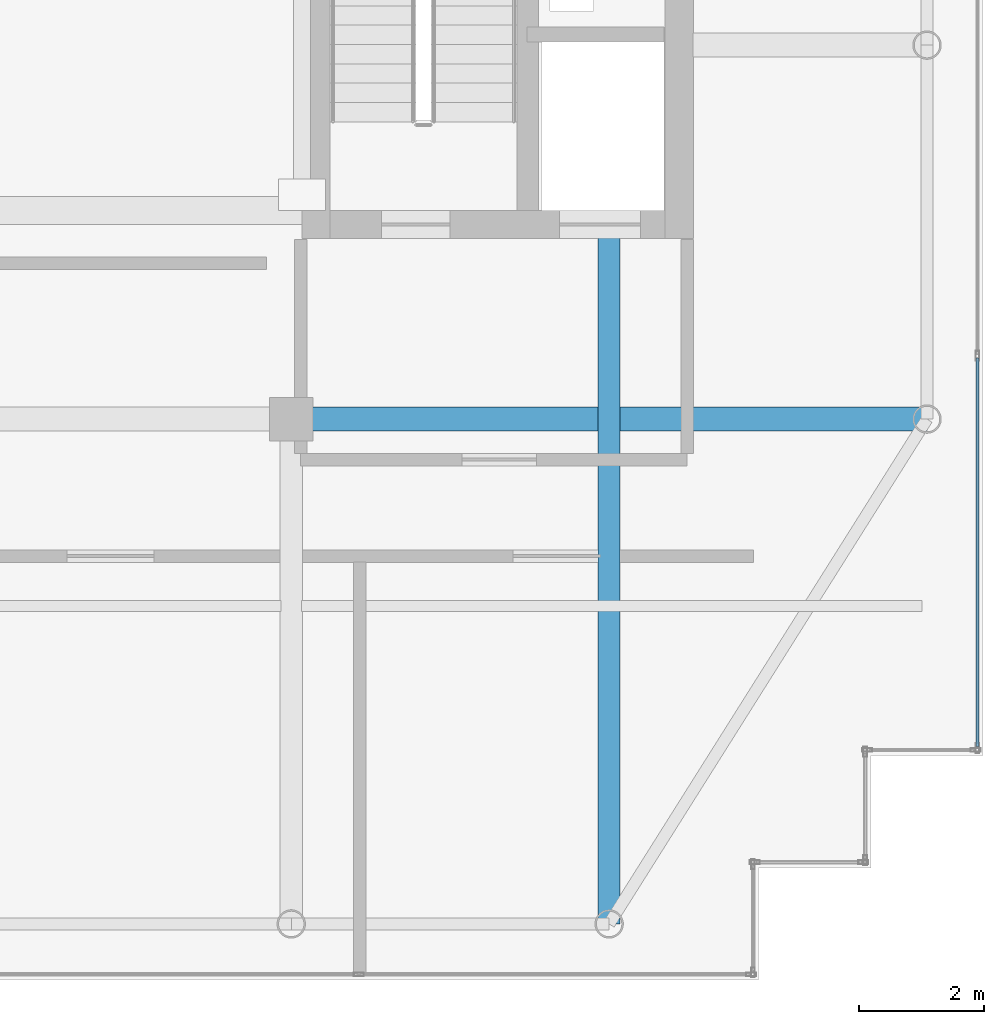
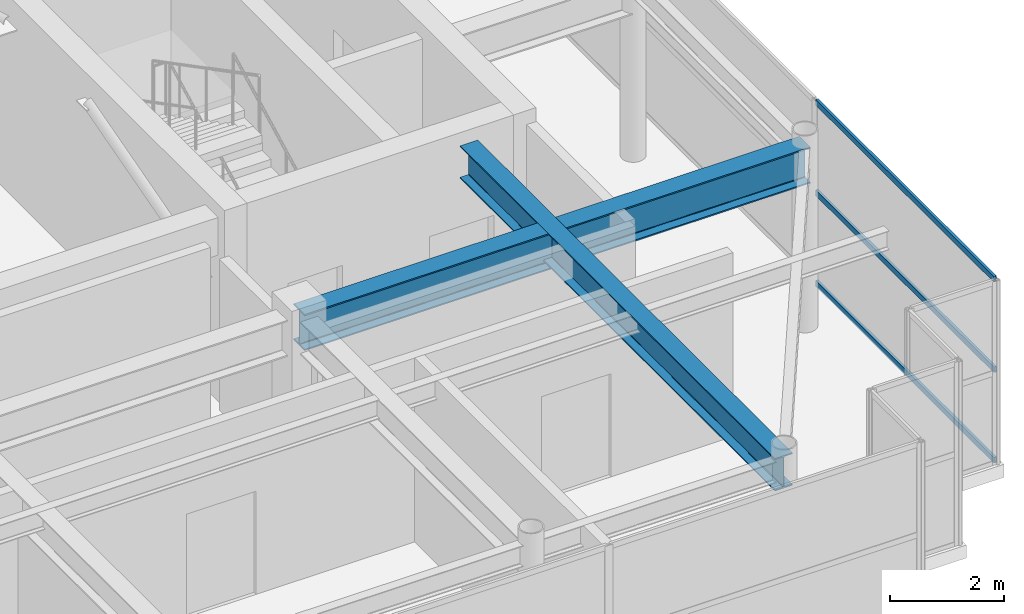
# One storey, part 16 of 32: 3 members, 2 beams, 1 element without a shape of its own.
"""IFC4 building model written with IfcOpenShell, lengths in metres."""

from ifc_helpers import new_model, si_unit, direction, frame, origin, origin_2d, place, context, subcontext, project, spatial, hollow_rectangle, i_section, extrude, source, transform, mapped, material, layer, layer_set, material_profile, profile_set, type_object, element, aggregate, save


model = new_model("IFC4")

# Units and contexts
model_context = context("Model", 3, precision=1e-05, world=origin(), true_north=direction((0.0, 1.0)))
body_context = subcontext(model_context, "Body", "Model", "MODEL_VIEW")
ifc_project = project(units=[si_unit("LENGTHUNIT", "METRE"), si_unit("AREAUNIT", "SQUARE_METRE"), si_unit("VOLUMEUNIT", "CUBIC_METRE"), si_unit("PLANEANGLEUNIT", "RADIAN"), si_unit("MASSUNIT", "GRAM", prefix="KILO")], contexts=[model_context])

# Site, building, storey
site_placement = place(None, origin())
site = spatial("IfcSite", under=ifc_project, at=site_placement, CompositionType="ELEMENT")
building_placement = place(site_placement, origin())
building = spatial("IfcBuilding", under=site, at=building_placement, Name="Khoralis Quay Care Tower", CompositionType="ELEMENT")
storey_placement = place(building_placement, frame((0.0, 0.0, 310.5)))
storey = spatial("IfcBuildingStorey", under=building, at=storey_placement, Name="L81", CompositionType="ELEMENT", Elevation=310.5)

# Beams
ifc_material_1 = material(Name="Steel S355", Category="steel")
ifc_material_profile_1 = material_profile(ifc_material_1, i_section(OverallWidth=0.381103515625, OverallDepth=0.77294921875, WebThickness=0.0166015625, FlangeThickness=0.027587890625, FilletRadius=0.02197265625, at=origin_2d()), Name="Steel S355")
ifc_profile_set_1 = profile_set([ifc_material_profile_1], Name="Steel S355")
beam_type_1 = type_object("IfcBeamType", Name="BM-W760X257", PredefinedType="BEAM", material=ifc_profile_set_1)
shared_shape_1 = source(origin(), body_context, "Body", "SweptSolid", [
    extrude(i_section(OverallWidth=0.381103515625, OverallDepth=0.77294921875, WebThickness=0.0166015625, FlangeThickness=0.027587890625, FilletRadius=0.02197265625, at=origin_2d()), origin(), (0.0, 0.0, 1.0), 10.2001953125),
])
beam_1_placement = place(storey_placement, frame((30.89990234375, 12.0, 3.533447265625), z_axis=(1.0, 0.0, 0.0), x_axis=(0.0, 1.0, 0.0)))
element("IfcBeam", 1, at=beam_1_placement, inside=storey, type_object=beam_type_1, Name="BM-TGXE-L81-120", PredefinedType="BEAM", context=body_context, shape_type="MappedRepresentation", body=[
    mapped(shared_shape_1, transform((0.0, 0.0, 0.0), scale=1.0)),
])
ifc_material_profile_2 = material_profile(ifc_material_1, i_section(OverallWidth=0.35498046875, OverallDepth=0.695068359375, WebThickness=0.015380859375, FlangeThickness=0.02490234375, FilletRadius=0.02001953125, at=origin_2d()), Name="Steel S355")
ifc_profile_set_2 = profile_set([ifc_material_profile_2], Name="Steel S355")
beam_type_2 = type_object("IfcBeamType", Name="BM-W690X217", PredefinedType="BEAM", material=ifc_profile_set_2)
shared_shape_2 = source(origin(), body_context, "Body", "SweptSolid", [
    extrude(i_section(OverallWidth=0.35498046875, OverallDepth=0.695068359375, WebThickness=0.015380859375, FlangeThickness=0.02490234375, FilletRadius=0.02001953125, at=origin_2d()), origin(), (0.0, 0.0, 1.0), 11.002197265625),
])
beam_2_placement = place(storey_placement, frame((36.0, 3.89990234375, 3.572509765625), z_axis=(0.0, 1.0, 0.0), x_axis=(-1.0, 0.0, 0.0)))
element("IfcBeam", 2, at=beam_2_placement, inside=storey, type_object=beam_type_2, Name="BM-TGYS-L81-360", PredefinedType="BEAM", context=body_context, shape_type="MappedRepresentation", body=[
    mapped(shared_shape_2, transform((0.0, 0.0, 0.0), scale=1.0)),
])

# Curtain wall, members
ifc_material_2 = material(Name="Pale anodised aluminium", Category="aluminium")
ifc_layer = layer(ifc_material_2, 0.199951171875)
ifc_layer_set = layer_set([ifc_layer], Name="Pale anodised aluminium")
curtain_wall_type = type_object("IfcCurtainWallType", Name="CW-SYS-LANTERN", PredefinedType="NOTDEFINED", material=ifc_layer_set)
curtain_wall_placement = place(storey_placement, origin())
curtain_wall = element("IfcCurtainWall", 3, at=curtain_wall_placement, inside=storey, type_object=curtain_wall_type, Name="L81 Unitised Curtain Wall CW-LN-L81-06", PredefinedType="NOTDEFINED")
ifc_material_profile_3 = material_profile(ifc_material_2, hollow_rectangle(XDim=0.054931640625, YDim=0.1201171875, WallThickness=0.00390625, at=origin_2d()), Name="Pale anodised aluminium")
ifc_profile_set_3 = profile_set([ifc_material_profile_3], Name="Pale anodised aluminium")
member_type = type_object("IfcMemberType", Name="CW-TRN-120", PredefinedType="USERDEFINED", material=ifc_profile_set_3)
shared_shape_3 = source(origin(), body_context, "Body", "SweptSolid", [
    extrude(hollow_rectangle(XDim=0.054931640625, YDim=0.1201171875, WallThickness=0.00390625, at=origin_2d()), origin(), (0.0, 0.0, 1.0), 6.23388671875),
])
member_1_placement = place(storey_placement, frame((41.909912109375, 6.75, 0.030029296875), z_axis=(0.0, 1.0, 0.0), x_axis=(-1.0, 0.0, 0.0)))
member_1 = element("IfcMember", 4, at=member_1_placement, type_object=member_type, Name="CW5 transom 1.1", ObjectType="TRANSOM", PredefinedType="USERDEFINED", context=body_context, shape_type="MappedRepresentation", body=[
    mapped(shared_shape_3, transform((0.0, 0.0, 0.0), scale=1.0)),
])
member_2_placement = place(storey_placement, frame((41.909912109375, 6.75, 1.9599609375), z_axis=(0.0, 1.0, 0.0), x_axis=(-1.0, 0.0, 0.0)))
member_2 = element("IfcMember", 5, at=member_2_placement, type_object=member_type, Name="CW5 transom 1.2", ObjectType="TRANSOM", PredefinedType="USERDEFINED", context=body_context, shape_type="MappedRepresentation", body=[
    mapped(shared_shape_3, transform((0.0, 0.0, 0.0), scale=1.0)),
])
member_3_placement = place(storey_placement, frame((41.909912109375, 6.75, 3.889892578125), z_axis=(0.0, 1.0, 0.0), x_axis=(-1.0, 0.0, 0.0)))
member_3 = element("IfcMember", 6, at=member_3_placement, type_object=member_type, Name="CW5 transom 1.3", ObjectType="TRANSOM", PredefinedType="USERDEFINED", context=body_context, shape_type="MappedRepresentation", body=[
    mapped(shared_shape_3, transform((0.0, 0.0, 0.0), scale=1.0)),
])
aggregate(curtain_wall, [member_1, member_2, member_3])

save(model, "model.ifc")
